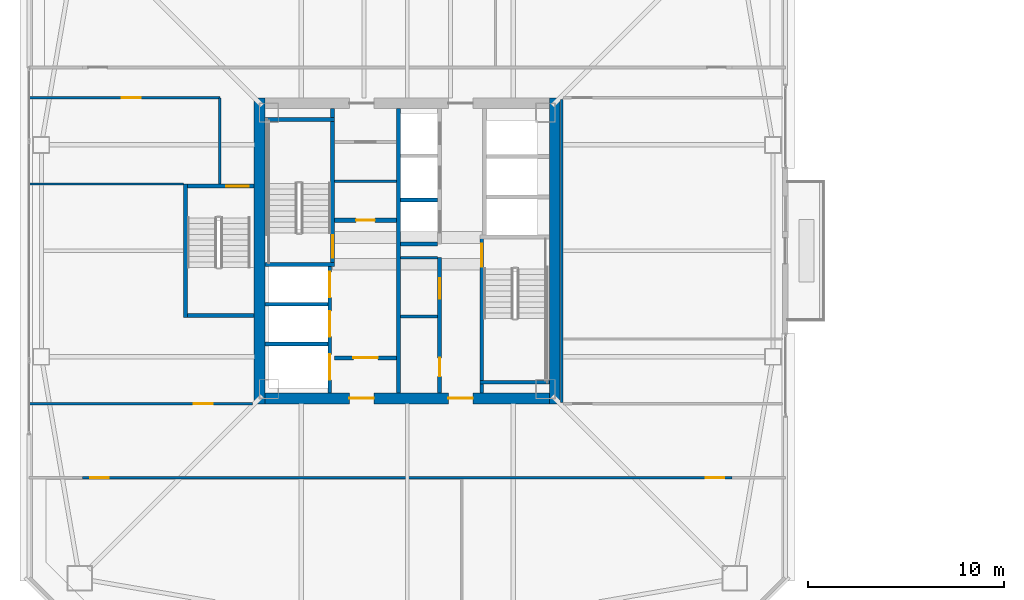
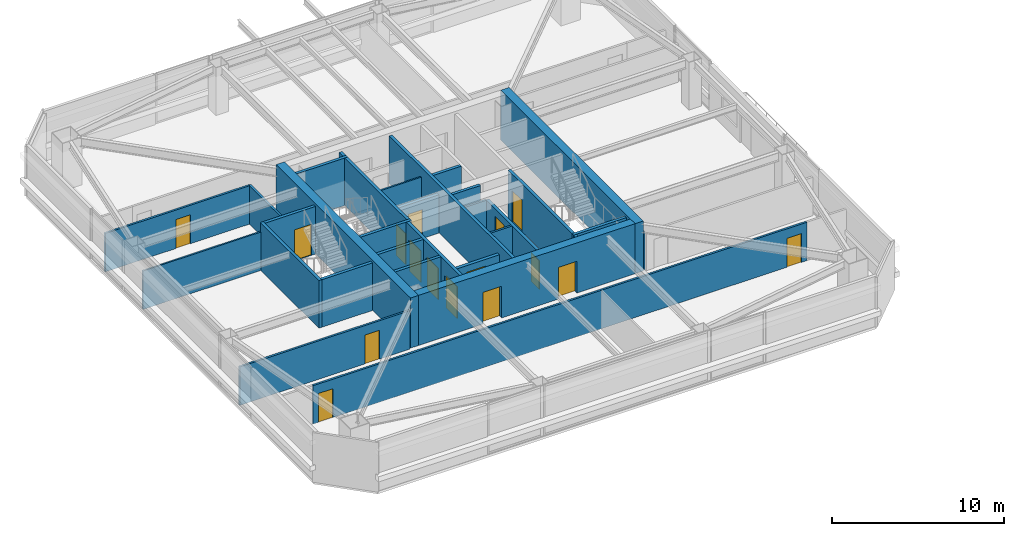
# One storey, part 30 of 40: 29 walls, 16 doors, 16 openings.
"""IFC4 building model written with IfcOpenShell, lengths in metres."""

from ifc_helpers import new_model, si_unit, direction, frame, frame_2d, origin, place, context, subcontext, project, spatial, rectangle, extrude, material, layer, layer_set, type_object, element, fill, save


model = new_model("IFC4")

# Units and contexts
model_context = context("Model", 3, precision=1e-05, world=origin(), true_north=direction((0.0, 1.0)))
body_context = subcontext(model_context, "Body", "Model", "MODEL_VIEW")
ifc_project = project(units=[si_unit("LENGTHUNIT", "METRE"), si_unit("AREAUNIT", "SQUARE_METRE"), si_unit("VOLUMEUNIT", "CUBIC_METRE"), si_unit("PLANEANGLEUNIT", "RADIAN"), si_unit("MASSUNIT", "GRAM", prefix="KILO")], contexts=[model_context])

# Site, building, storey
site_placement = place(None, origin())
site = spatial("IfcSite", under=ifc_project, at=site_placement, CompositionType="ELEMENT")
building_placement = place(site_placement, origin())
building = spatial("IfcBuilding", under=site, at=building_placement, Name="Tashvorn Skyway Center", CompositionType="ELEMENT")
storey_placement = place(building_placement, frame((0.0, 0.0, 142.800048828125)))
storey = spatial("IfcBuildingStorey", under=building, at=storey_placement, Name="L38", CompositionType="ELEMENT", Elevation=142.800048828125)

# Walls
ifc_material_1 = material(Name="Concrete C60/75", Category="concrete")
ifc_layer_1 = layer(ifc_material_1, 0.550048828125)
ifc_layer_set_1 = layer_set([ifc_layer_1], Name="Concrete C60/75")
wall_type_1 = type_object("IfcWallType", Name="WALL-CORE-550", PredefinedType="SHEAR", material=ifc_layer_set_1)
for number, where, z_axis, x_axis, name in (
    (1, (34.47509765625, 24.199951171875, 0.0), (0.0, 0.0, 1.0), (0.0, 1.0, 0.0), "Tower 1 L38 West Core Shear Wall"),
    (2, (49.52490234375, 39.800048828125, 0.0), (0.0, 0.0, 1.0), (0.0, -1.0, 0.0), "Tower 1 L38 East Core Shear Wall"),
):
    element("IfcWall", number, at=place(storey_placement, frame(where, z_axis=z_axis, x_axis=x_axis)), inside=storey, type_object=wall_type_1, Name=name, PredefinedType="SHEAR", context=body_context, shape_type="SweptSolid", body=[
        extrude(rectangle(XDim=15.60009765625, YDim=0.550048828125, at=frame_2d((7.800048828125, 0.0))), origin(), (0.0, 0.0, 1.0), 3.550048828125),
    ])

# Wall, openings, doors
wall_1_placement = place(storey_placement, frame((49.25, 24.47509765625, 0.0), z_axis=(0.0, 0.0, 1.0), x_axis=(-1.0, 0.0, 0.0)))
wall_1 = element("IfcWall", 3, at=wall_1_placement, inside=storey, type_object=wall_type_1, Name="Tower 1 L38 South Core Shear Wall", PredefinedType="SHEAR", context=body_context, shape_type="SweptSolid", body=[
    extrude(rectangle(XDim=14.5, YDim=0.550048828125, at=frame_2d((7.25, 0.0))), origin(), (0.0, 0.0, 1.0), 3.550048828125),
])
opening_1_placement = place(wall_1_placement, frame((8.949951171875, 0.0, 0.0)))
opening_1 = element("IfcOpeningElement", 4, at=opening_1_placement, cuts=wall_1, Name="Opening D-FFL-1250", PredefinedType="OPENING", context=body_context, shape_type="SweptSolid", body=[
    extrude(rectangle(XDim=1.25, YDim=2.25, at=frame_2d((0.625, 1.125))), frame((0.0, 0.284912109375, 0.0), z_axis=(0.0, -1.0, 0.0), x_axis=(1.0, 0.0, 0.0)), (0.0, 0.0, 1.0), 0.570068359375),
])
opening_2_placement = place(wall_1_placement, frame((3.89990234375, 0.0, 0.0)))
opening_2 = element("IfcOpeningElement", 5, at=opening_2_placement, cuts=wall_1, Name="Opening D-FFL-1250", PredefinedType="OPENING", context=body_context, shape_type="SweptSolid", body=[
    extrude(rectangle(XDim=1.25, YDim=2.25, at=frame_2d((0.625, 1.125))), frame((0.0, 0.284912109375, 0.0), z_axis=(0.0, -1.0, 0.0), x_axis=(1.0, 0.0, 0.0)), (0.0, 0.0, 1.0), 0.570068359375),
])
ifc_material_2 = material(Name="Hollow galvanized steel fire door assembly", Category="steel")
door_type_1 = type_object("IfcDoorType", Name="DOOR-FFL-1250", OperationType="NOTDEFINED", PredefinedType="DOOR", material=ifc_material_2)
door_1_placement = place(opening_1_placement, origin())
door_1 = element("IfcDoor", 6, at=door_1_placement, inside=storey, type_object=door_type_1, Name="Tower 1 L38 Core South Firefighting Exit Door", OperationType="SINGLE_SWING_LEFT", OverallHeight=2.25, OverallWidth=1.25, PredefinedType="DOOR", context=body_context, shape_type="SweptSolid", body=[
    extrude(rectangle(XDim=1.25, YDim=2.25, at=frame_2d((0.625, 1.125))), frame((0.0, 0.02490234375, 0.0), z_axis=(0.0, -1.0, 0.0), x_axis=(1.0, 0.0, 0.0)), (0.0, 0.0, 1.0), 0.050048828125),
])
fill(opening_1, door_1)
door_2_placement = place(opening_2_placement, origin())
door_2 = element("IfcDoor", 7, at=door_2_placement, inside=storey, type_object=door_type_1, Name="Tower 1 L38 Core South Lift Lobby Door", OperationType="SINGLE_SWING_RIGHT", OverallHeight=2.25, OverallWidth=1.25, PredefinedType="DOOR", context=body_context, shape_type="SweptSolid", body=[
    extrude(rectangle(XDim=1.25, YDim=2.25, at=frame_2d((0.625, 1.125))), frame((0.0, 0.02490234375, 0.0), z_axis=(0.0, -1.0, 0.0), x_axis=(1.0, 0.0, 0.0)), (0.0, 0.0, 1.0), 0.050048828125),
])
fill(opening_2, door_2)

# Wall, opening, door
ifc_material_3 = material(Name="Concrete C40/50", Category="concrete")
ifc_layer_2 = layer(ifc_material_3, 0.219970703125)
ifc_layer_set_2 = layer_set([ifc_layer_2], Name="Concrete C40/50")
wall_type_2 = type_object("IfcWallType", Name="WALL-FFL-220", PredefinedType="SOLIDWALL", material=ifc_layer_set_2)
wall_2_placement = place(storey_placement, frame((38.300048828125, 33.56005859375, 0.0), z_axis=(0.0, 0.0, 1.0), x_axis=(1.0, 0.0, 0.0)))
wall_2 = element("IfcWall", 8, at=wall_2_placement, inside=storey, type_object=wall_type_2, Name="Tower 1 L38 Firefighting Lobby North Wall", PredefinedType="SOLIDWALL", context=body_context, shape_type="SweptSolid", body=[
    extrude(rectangle(XDim=3.14990234375, YDim=0.219970703125, at=frame_2d((1.574951171875, 0.0))), origin(), (0.0, 0.0, 1.0), 2.722900390625),
])
opening_3_placement = place(wall_2_placement, frame((1.10009765625, 0.0, 0.0)))
opening_3 = element("IfcOpeningElement", 9, at=opening_3_placement, cuts=wall_2, Name="Opening D-RT-950", PredefinedType="OPENING", context=body_context, shape_type="SweptSolid", body=[
    extrude(rectangle(XDim=0.949951171875, YDim=2.050048828125, at=frame_2d((0.47509765625, 1.02490234375))), frame((0.0, 0.119873046875, 0.0), z_axis=(0.0, -1.0, 0.0), x_axis=(1.0, 0.0, 0.0)), (0.0, 0.0, 1.0), 0.239990234375),
])
door_type_2 = type_object("IfcDoorType", Name="DOOR-RATED-950", OperationType="NOTDEFINED", PredefinedType="DOOR", material=ifc_material_2)
door_3_placement = place(opening_3_placement, origin())
door_3 = element("IfcDoor", 10, at=door_3_placement, inside=storey, type_object=door_type_2, Name="Tower 1 L38 Core Linen Store Door", OperationType="SINGLE_SWING_LEFT", OverallHeight=2.050048828125, OverallWidth=0.949951171875, PredefinedType="DOOR", context=body_context, shape_type="SweptSolid", body=[
    extrude(rectangle(XDim=0.949951171875, YDim=2.050048828125, at=frame_2d((0.47509765625, 1.02490234375))), frame((0.0, 0.02490234375, 0.0), z_axis=(0.0, -1.0, 0.0), x_axis=(1.0, 0.0, 0.0)), (0.0, 0.0, 1.0), 0.050048828125),
])
fill(opening_3, door_3)

wall_3_placement = place(storey_placement, frame((38.300048828125, 26.5400390625, 0.0), z_axis=(0.0, 0.0, 1.0), x_axis=(1.0, 0.0, 0.0)))
wall_3 = element("IfcWall", 11, at=wall_3_placement, inside=storey, type_object=wall_type_2, Name="Tower 1 L38 Firefighting Lobby South Wall", PredefinedType="SOLIDWALL", context=body_context, shape_type="SweptSolid", body=[
    extrude(rectangle(XDim=3.14990234375, YDim=0.219970703125, at=frame_2d((1.574951171875, 0.0))), origin(), (0.0, 0.0, 1.0), 2.722900390625),
])
opening_4_placement = place(wall_3_placement, frame((0.949951171875, 0.0, 0.0)))
opening_4 = element("IfcOpeningElement", 12, at=opening_4_placement, cuts=wall_3, Name="Opening D-FFL-1250", PredefinedType="OPENING", context=body_context, shape_type="SweptSolid", body=[
    extrude(rectangle(XDim=1.25, YDim=2.25, at=frame_2d((0.625, 1.125))), frame((0.0, 0.119873046875, 0.0), z_axis=(0.0, -1.0, 0.0), x_axis=(1.0, 0.0, 0.0)), (0.0, 0.0, 1.0), 0.239990234375),
])
door_4_placement = place(opening_4_placement, origin())
door_4 = element("IfcDoor", 13, at=door_4_placement, inside=storey, type_object=door_type_1, Name="Tower 1 L38 Firefighting Lobby Egress Door", OperationType="SINGLE_SWING_LEFT", OverallHeight=2.25, OverallWidth=1.25, PredefinedType="DOOR", context=body_context, shape_type="SweptSolid", body=[
    extrude(rectangle(XDim=1.25, YDim=2.25, at=frame_2d((0.625, 1.125))), frame((0.0, 0.02490234375, 0.0), z_axis=(0.0, -1.0, 0.0), x_axis=(1.0, 0.0, 0.0)), (0.0, 0.0, 1.0), 0.050048828125),
])
fill(opening_4, door_4)

# Walls
ifc_material_4 = material(Name="Gypsum board on cold-formed steel stud framing", Category="steel")
ifc_layer_3 = layer(ifc_material_4, 0.110107421875)
ifc_layer_set_3 = layer_set([ifc_layer_3], Name="Gypsum board on cold-formed steel stud framing")
wall_type_3 = type_object("IfcWallType", Name="WALL-PART-110", PredefinedType="PARTITIONING", material=ifc_layer_set_3)
wall_4_placement = place(storey_placement, frame((30.60009765625, 35.39990234375, 0.0), z_axis=(0.0, 0.0, 1.0), x_axis=(-1.0, 0.0, 0.0)))
element("IfcWall", 14, at=wall_4_placement, inside=storey, type_object=wall_type_3, Name="Tower 1 L38 West Suite Partition 1", PredefinedType="PARTITIONING", context=body_context, shape_type="SweptSolid", body=[
    extrude(rectangle(XDim=7.880126953125, YDim=0.110107421875, at=frame_2d((3.93994140625, 0.0))), origin(), (0.0, 0.0, 1.0), 2.722900390625),
])
ifc_layer_4 = layer(ifc_material_4, 0.135009765625)
ifc_layer_set_4 = layer_set([ifc_layer_4], Name="Gypsum board on cold-formed steel stud framing")
wall_type_4 = type_object("IfcWallType", Name="WALL-PART-135", PredefinedType="PARTITIONING", material=ifc_layer_set_4)
wall_5_placement = place(storey_placement, frame((32.449951171875, 35.39990234375, 0.0), z_axis=(0.0, 0.0, 1.0), x_axis=(0.0, 1.0, 0.0)))
element("IfcWall", 15, at=wall_5_placement, inside=storey, type_object=wall_type_4, Name="Tower 1 L38 Stair 3 Access Corridor Wall", PredefinedType="PARTITIONING", context=body_context, shape_type="SweptSolid", body=[
    extrude(rectangle(XDim=4.400146484375, YDim=0.135009765625, at=frame_2d((2.2001953125, 0.0))), origin(), (0.0, 0.0, 1.0), 2.722900390625),
])

# Wall, openings, doors
wall_6_placement = place(storey_placement, frame((58.550048828125, 20.429931640625, 0.0), z_axis=(0.0, 0.0, 1.0), x_axis=(-1.0, 0.0, 0.0)))
wall_6 = element("IfcWall", 16, at=wall_6_placement, inside=storey, type_object=wall_type_4, Name="Tower 1 L38 South Suite Wall", PredefinedType="PARTITIONING", context=body_context, shape_type="SweptSolid", body=[
    extrude(rectangle(XDim=33.10009765625, YDim=0.135009765625, at=frame_2d((16.550048828125, 0.0))), origin(), (0.0, 0.0, 1.0), 2.722900390625),
])
opening_5_placement = place(wall_6_placement, frame((31.77001953125, 0.0, 0.0)))
opening_5 = element("IfcOpeningElement", 17, at=opening_5_placement, cuts=wall_6, Name="Opening D-INT-950", PredefinedType="OPENING", context=body_context, shape_type="SweptSolid", body=[
    extrude(rectangle(XDim=0.949951171875, YDim=2.050048828125, at=frame_2d((0.47509765625, 1.02490234375))), frame((0.0, 0.077392578125, 0.0), z_axis=(0.0, -1.0, 0.0), x_axis=(1.0, 0.0, 0.0)), (0.0, 0.0, 1.0), 0.155029296875),
])
opening_6_placement = place(wall_6_placement, frame((0.3798828125, 0.0, 0.0)))
opening_6 = element("IfcOpeningElement", 18, at=opening_6_placement, cuts=wall_6, Name="Opening D-INT-950", PredefinedType="OPENING", context=body_context, shape_type="SweptSolid", body=[
    extrude(rectangle(XDim=0.949951171875, YDim=2.050048828125, at=frame_2d((0.47509765625, 1.02490234375))), frame((0.0, 0.077392578125, 0.0), z_axis=(0.0, -1.0, 0.0), x_axis=(1.0, 0.0, 0.0)), (0.0, 0.0, 1.0), 0.155029296875),
])
ifc_material_5 = material(Name="Solid-core architectural oak veneer door")
door_type_3 = type_object("IfcDoorType", Name="DOOR-INT-950", OperationType="NOTDEFINED", PredefinedType="DOOR", material=ifc_material_5)
door_5_placement = place(opening_5_placement, origin())
door_5 = element("IfcDoor", 19, at=door_5_placement, inside=storey, type_object=door_type_3, Name="Tower 1 L38 Wellness Clinic Door", OperationType="SINGLE_SWING_LEFT", OverallHeight=2.050048828125, OverallWidth=0.949951171875, PredefinedType="DOOR", context=body_context, shape_type="SweptSolid", body=[
    extrude(rectangle(XDim=0.949951171875, YDim=2.050048828125, at=frame_2d((0.47509765625, 1.02490234375))), frame((0.0, 0.02490234375, 0.0), z_axis=(0.0, -1.0, 0.0), x_axis=(1.0, 0.0, 0.0)), (0.0, 0.0, 1.0), 0.050048828125),
])
fill(opening_5, door_5)
door_6_placement = place(opening_6_placement, origin())
door_6 = element("IfcDoor", 20, at=door_6_placement, inside=storey, type_object=door_type_3, Name="Tower 1 L38 Corporate Office Door", OperationType="SINGLE_SWING_RIGHT", OverallHeight=2.050048828125, OverallWidth=0.949951171875, PredefinedType="DOOR", context=body_context, shape_type="SweptSolid", body=[
    extrude(rectangle(XDim=0.949951171875, YDim=2.050048828125, at=frame_2d((0.47509765625, 1.02490234375))), frame((0.0, 0.02490234375, 0.0), z_axis=(0.0, -1.0, 0.0), x_axis=(1.0, 0.0, 0.0)), (0.0, 0.0, 1.0), 0.050048828125),
])
fill(opening_6, door_6)

# Wall
wall_7_placement = place(storey_placement, frame((49.8798828125, 39.719970703125, 0.0), z_axis=(0.0, 0.0, 1.0), x_axis=(0.0, -1.0, 0.0)))
element("IfcWall", 21, at=wall_7_placement, inside=storey, type_object=wall_type_4, Name="Tower 1 L38 East Inner Suite Wall", PredefinedType="PARTITIONING", context=body_context, shape_type="SweptSolid", body=[
    extrude(rectangle(XDim=15.43994140625, YDim=0.135009765625, at=frame_2d((7.719970703125, 0.0))), origin(), (0.0, 0.0, 1.0), 2.722900390625),
])

# Wall, opening, door
wall_8_placement = place(storey_placement, frame((32.449951171875, 39.800048828125, 0.0), z_axis=(0.0, 0.0, 1.0), x_axis=(-1.0, 0.0, 0.0)))
wall_8 = element("IfcWall", 22, at=wall_8_placement, inside=storey, type_object=wall_type_4, Name="Tower 1 L38 West Suite North Wall", PredefinedType="PARTITIONING", context=body_context, shape_type="SweptSolid", body=[
    extrude(rectangle(XDim=9.72998046875, YDim=0.135009765625, at=frame_2d((4.864990234375, 0.0))), origin(), (0.0, 0.0, 1.0), 2.722900390625),
])
opening_7_placement = place(wall_8_placement, frame((4.0400390625, 0.0, 0.0)))
opening_7 = element("IfcOpeningElement", 23, at=opening_7_placement, cuts=wall_8, Name="Opening D-INT-950", PredefinedType="OPENING", context=body_context, shape_type="SweptSolid", body=[
    extrude(rectangle(XDim=0.949951171875, YDim=2.050048828125, at=frame_2d((0.47509765625, 1.02490234375))), frame((0.0, 0.077392578125, 0.0), z_axis=(0.0, -1.0, 0.0), x_axis=(1.0, 0.0, 0.0)), (0.0, 0.0, 1.0), 0.155029296875),
])
door_7_placement = place(opening_7_placement, origin())
door_7 = element("IfcDoor", 24, at=door_7_placement, inside=storey, type_object=door_type_3, Name="Tower 1 L38 Corporate Office Door", OperationType="SINGLE_SWING_LEFT", OverallHeight=2.050048828125, OverallWidth=0.949951171875, PredefinedType="DOOR", context=body_context, shape_type="SweptSolid", body=[
    extrude(rectangle(XDim=0.949951171875, YDim=2.050048828125, at=frame_2d((0.47509765625, 1.02490234375))), frame((0.0, 0.02490234375, 0.0), z_axis=(0.0, -1.0, 0.0), x_axis=(1.0, 0.0, 0.0)), (0.0, 0.0, 1.0), 0.050048828125),
])
fill(opening_7, door_7)

wall_9_placement = place(storey_placement, frame((22.719970703125, 24.199951171875, 0.0), z_axis=(0.0, 0.0, 1.0), x_axis=(1.0, 0.0, 0.0)))
wall_9 = element("IfcWall", 25, at=wall_9_placement, inside=storey, type_object=wall_type_4, Name="Tower 1 L38 West Suite South Wall", PredefinedType="PARTITIONING", context=body_context, shape_type="SweptSolid", body=[
    extrude(rectangle(XDim=11.400146484375, YDim=0.135009765625, at=frame_2d((5.7001953125, 0.0))), origin(), (0.0, 0.0, 1.0), 2.722900390625),
])
opening_8_placement = place(wall_9_placement, frame((8.405029296875, 0.0, 0.0)))
opening_8 = element("IfcOpeningElement", 26, at=opening_8_placement, cuts=wall_9, Name="Opening D-INT-950", PredefinedType="OPENING", context=body_context, shape_type="SweptSolid", body=[
    extrude(rectangle(XDim=0.949951171875, YDim=2.050048828125, at=frame_2d((0.47509765625, 1.02490234375))), frame((0.0, 0.077392578125, 0.0), z_axis=(0.0, -1.0, 0.0), x_axis=(1.0, 0.0, 0.0)), (0.0, 0.0, 1.0), 0.155029296875),
])
door_8_placement = place(opening_8_placement, origin())
door_8 = element("IfcDoor", 27, at=door_8_placement, inside=storey, type_object=door_type_3, Name="Tower 1 L38 Public Restroom Door", OperationType="SINGLE_SWING_RIGHT", OverallHeight=2.050048828125, OverallWidth=0.949951171875, PredefinedType="DOOR", context=body_context, shape_type="SweptSolid", body=[
    extrude(rectangle(XDim=0.949951171875, YDim=2.050048828125, at=frame_2d((0.47509765625, 1.02490234375))), frame((0.0, 0.02490234375, 0.0), z_axis=(0.0, -1.0, 0.0), x_axis=(1.0, 0.0, 0.0)), (0.0, 0.0, 1.0), 0.050048828125),
])
fill(opening_8, door_8)

# Walls
ifc_layer_5 = layer(ifc_material_4, 0.110107421875)
ifc_layer_set_5 = layer_set([ifc_layer_5], Name="Gypsum board on cold-formed steel stud framing")
wall_type_5 = type_object("IfcWallType", Name="WALL-RATED-110", PredefinedType="PARTITIONING", material=ifc_layer_set_5)
wall_10_placement = place(storey_placement, frame((38.300048828125, 35.550048828125, 0.0), z_axis=(0.0, 0.0, 1.0), x_axis=(1.0, 0.0, 0.0)))
element("IfcWall", 28, at=wall_10_placement, inside=storey, type_object=wall_type_5, Name="Tower 1 L38 Core Transverse Wall", PredefinedType="PARTITIONING", context=body_context, shape_type="SweptSolid", body=[
    extrude(rectangle(XDim=3.14990234375, YDim=0.110107421875, at=frame_2d((1.574951171875, 0.0))), origin(), (0.0, 0.0, 1.0), 2.722900390625),
])
ifc_layer_6 = layer(ifc_material_4, 0.135009765625)
ifc_layer_set_6 = layer_set([ifc_layer_6], Name="Gypsum board on cold-formed steel stud framing")
wall_type_6 = type_object("IfcWallType", Name="WALL-RATED-135", PredefinedType="PARTITIONING", material=ifc_layer_set_6)
for number, where, z_axis, x_axis, name in (
    (29, (41.669921875, 31.64990234375, 0.0), (0.0, 0.0, 1.0), (1.0, 0.0, 0.0), "Tower 1 L38 Core Room Partition"),
    (30, (41.669921875, 28.64990234375, 0.0), (0.0, 0.0, 1.0), (1.0, 0.0, 0.0), "Tower 1 L38 Freed Core Partition"),
):
    element("IfcWall", number, at=place(storey_placement, frame(where, z_axis=z_axis, x_axis=x_axis)), inside=storey, type_object=wall_type_6, Name=name, PredefinedType="PARTITIONING", context=body_context, shape_type="SweptSolid", body=[
        extrude(rectangle(XDim=1.880126953125, YDim=0.135009765625, at=frame_2d((0.93994140625, 0.0))), origin(), (0.0, 0.0, 1.0), 2.722900390625),
    ])
ifc_layer_7 = layer(ifc_material_3, 0.199951171875)
ifc_layer_set_7 = layer_set([ifc_layer_7], Name="Concrete C40/50")
wall_type_7 = type_object("IfcWallType", Name="WALL-SHAFT-200", PredefinedType="SOLIDWALL", material=ifc_layer_set_7)
for number, where, z_axis, x_axis, name in (
    (31, (34.75, 27.25, 0.0), (0.0, 0.0, 1.0), (1.0, 0.0, 0.0), "Tower 1 L38 FSAE Shaft Divider"),
    (32, (34.75, 29.280029296875, 0.0), (0.0, 0.0, 1.0), (1.0, 0.0, 0.0), "Tower 1 L38 FSAE Shaft Divider"),
):
    element("IfcWall", number, at=place(storey_placement, frame(where, z_axis=z_axis, x_axis=x_axis)), inside=storey, type_object=wall_type_7, Name=name, PredefinedType="SOLIDWALL", context=body_context, shape_type="SweptSolid", body=[
        extrude(rectangle(XDim=3.199951171875, YDim=0.199951171875, at=frame_2d((1.60009765625, 0.0))), origin(), (0.0, 0.0, 1.0), 3.369873046875),
    ])

# Wall, openings, doors
wall_11_placement = place(storey_placement, frame((43.64990234375, 24.75, 0.0), z_axis=(0.0, 0.0, 1.0), x_axis=(0.0, 1.0, 0.0)))
wall_11 = element("IfcWall", 33, at=wall_11_placement, inside=storey, type_object=wall_type_7, Name="Tower 1 L38 Low-Rise Core Wall", PredefinedType="SOLIDWALL", context=body_context, shape_type="SweptSolid", body=[
    extrude(rectangle(XDim=6.89990234375, YDim=0.199951171875, at=frame_2d((3.449951171875, 0.0))), origin(), (0.0, 0.0, 1.0), 2.722900390625),
])
opening_9_placement = place(wall_11_placement, frame((0.85009765625, 0.0, 0.0)))
opening_9 = element("IfcOpeningElement", 34, at=opening_9_placement, cuts=wall_11, Name="Opening D-RT-950", PredefinedType="OPENING", context=body_context, shape_type="SweptSolid", body=[
    extrude(rectangle(XDim=0.949951171875, YDim=2.050048828125, at=frame_2d((0.47509765625, 1.02490234375))), frame((0.0, 0.10986328125, 0.0), z_axis=(0.0, -1.0, 0.0), x_axis=(1.0, 0.0, 0.0)), (0.0, 0.0, 1.0), 0.219970703125),
])
opening_10_placement = place(wall_11_placement, frame((4.800048828125, 0.0, 0.0)))
opening_10 = element("IfcOpeningElement", 35, at=opening_10_placement, cuts=wall_11, Name="Opening D-RT-1050", PredefinedType="OPENING", context=body_context, shape_type="SweptSolid", body=[
    extrude(rectangle(XDim=1.050048828125, YDim=2.199951171875, at=frame_2d((0.52490234375, 1.10009765625))), frame((0.0, 0.10986328125, 0.0), z_axis=(0.0, -1.0, 0.0), x_axis=(1.0, 0.0, 0.0)), (0.0, 0.0, 1.0), 0.219970703125),
])
door_type_4 = type_object("IfcDoorType", Name="DOOR-RATED-1050", OperationType="NOTDEFINED", PredefinedType="DOOR", material=ifc_material_2)
door_9_placement = place(opening_10_placement, origin())
door_9 = element("IfcDoor", 36, at=door_9_placement, inside=storey, type_object=door_type_4, Name="Tower 1 L38 Freed Core Room Door", OperationType="SINGLE_SWING_RIGHT", OverallHeight=2.199951171875, OverallWidth=1.050048828125, PredefinedType="DOOR", context=body_context, shape_type="SweptSolid", body=[
    extrude(rectangle(XDim=1.050048828125, YDim=2.199951171875, at=frame_2d((0.52490234375, 1.10009765625))), frame((0.0, 0.02490234375, 0.0), z_axis=(0.0, -1.0, 0.0), x_axis=(1.0, 0.0, 0.0)), (0.0, 0.0, 1.0), 0.050048828125),
])
fill(opening_10, door_9)
door_10_placement = place(opening_9_placement, origin())
door_10 = element("IfcDoor", 37, at=door_10_placement, inside=storey, type_object=door_type_2, Name="Tower 1 L38 Core Print Room Door", OperationType="SINGLE_SWING_LEFT", OverallHeight=2.050048828125, OverallWidth=0.949951171875, PredefinedType="DOOR", context=body_context, shape_type="SweptSolid", body=[
    extrude(rectangle(XDim=0.949951171875, YDim=2.050048828125, at=frame_2d((0.47509765625, 1.02490234375))), frame((0.0, 0.02490234375, 0.0), z_axis=(0.0, -1.0, 0.0), x_axis=(1.0, 0.0, 0.0)), (0.0, 0.0, 1.0), 0.050048828125),
])
fill(opening_9, door_10)

# Walls
for number, where, z_axis, x_axis, name in (
    (38, (41.669921875, 32.35009765625, 0.0), (0.0, 0.0, 1.0), (1.0, 0.0, 0.0), "Tower 1 L38 Mid-Rise Shaft Divider"),
    (39, (41.669921875, 34.60009765625, 0.0), (0.0, 0.0, 1.0), (1.0, 0.0, 0.0), "Tower 1 L38 Mid-Rise Shaft Divider"),
):
    element("IfcWall", number, at=place(storey_placement, frame(where, z_axis=z_axis, x_axis=x_axis)), inside=storey, type_object=wall_type_7, Name=name, PredefinedType="SOLIDWALL", context=body_context, shape_type="SweptSolid", body=[
        extrude(rectangle(XDim=1.880126953125, YDim=0.199951171875, at=frame_2d((0.93994140625, 0.0))), origin(), (0.0, 0.0, 1.0), 3.369873046875),
    ])

# Wall, opening, door
ifc_layer_8 = layer(ifc_material_3, 0.199951171875)
ifc_layer_set_8 = layer_set([ifc_layer_8], Name="Concrete C40/50")
wall_type_8 = type_object("IfcWallType", Name="WALL-STSHF-200", PredefinedType="SHEAR", material=ifc_layer_set_8)
wall_12_placement = place(storey_placement, frame((38.199951171875, 31.199951171875, 0.0), z_axis=(0.0, 0.0, 1.0), x_axis=(0.0, 1.0, 0.0)))
wall_12 = element("IfcWall", 40, at=wall_12_placement, inside=storey, type_object=wall_type_8, Name="Tower 1 L38 Stair 1 Enclosure Wall", PredefinedType="SHEAR", context=body_context, shape_type="SweptSolid", body=[
    extrude(rectangle(XDim=8.050048828125, YDim=0.199951171875, at=frame_2d((4.02490234375, 0.0))), origin(), (0.0, 0.0, 1.0), 3.369873046875),
])
opening_11_placement = place(wall_12_placement, frame((0.449951171875, 0.0, 0.0)))
opening_11 = element("IfcOpeningElement", 41, at=opening_11_placement, cuts=wall_12, Name="Opening D-ST-1150", PredefinedType="OPENING", context=body_context, shape_type="SweptSolid", body=[
    extrude(rectangle(XDim=1.14990234375, YDim=2.199951171875, at=frame_2d((0.574951171875, 1.10009765625))), frame((0.0, 0.10986328125, 0.0), z_axis=(0.0, -1.0, 0.0), x_axis=(1.0, 0.0, 0.0)), (0.0, 0.0, 1.0), 0.219970703125),
])
door_type_5 = type_object("IfcDoorType", Name="DOOR-STAIR-1150", OperationType="NOTDEFINED", PredefinedType="DOOR", material=ifc_material_2)
door_11_placement = place(opening_11_placement, origin())
door_11 = element("IfcDoor", 42, at=door_11_placement, inside=storey, type_object=door_type_5, Name="Tower 1 L38 Exit Stair 1 Door", OperationType="SINGLE_SWING_RIGHT", OverallHeight=2.199951171875, OverallWidth=1.14990234375, PredefinedType="DOOR", context=body_context, shape_type="SweptSolid", body=[
    extrude(rectangle(XDim=1.14990234375, YDim=2.199951171875, at=frame_2d((0.574951171875, 1.10009765625))), frame((0.0, 0.02490234375, 0.0), z_axis=(0.0, -1.0, 0.0), x_axis=(1.0, 0.0, 0.0)), (0.0, 0.0, 1.0), 0.050048828125),
])
fill(opening_11, door_11)

# Walls
for number, where, z_axis, x_axis, name in (
    (43, (34.75, 31.300048828125, 0.0), (0.0, 0.0, 1.0), (1.0, 0.0, 0.0), "Tower 1 L38 Stair 1 South Wall"),
    (44, (34.75, 38.699951171875, 0.0), (0.0, 0.0, 1.0), (1.0, 0.0, 0.0), "Tower 1 L38 Stair 1 North Wall"),
):
    element("IfcWall", number, at=place(storey_placement, frame(where, z_axis=z_axis, x_axis=x_axis)), inside=storey, type_object=wall_type_8, Name=name, PredefinedType="SHEAR", context=body_context, shape_type="SweptSolid", body=[
        extrude(rectangle(XDim=3.550048828125, YDim=0.199951171875, at=frame_2d((1.77490234375, 0.0))), origin(), (0.0, 0.0, 1.0), 3.369873046875),
    ])

# Wall, opening, door
wall_13_placement = place(storey_placement, frame((45.800048828125, 32.800048828125, 0.0), z_axis=(0.0, 0.0, 1.0), x_axis=(0.0, -1.0, 0.0)))
wall_13 = element("IfcWall", 45, at=wall_13_placement, inside=storey, type_object=wall_type_8, Name="Tower 1 L38 Stair 2 Enclosure Wall", PredefinedType="SHEAR", context=body_context, shape_type="SweptSolid", body=[
    extrude(rectangle(XDim=8.050048828125, YDim=0.199951171875, at=frame_2d((4.02490234375, 0.0))), origin(), (0.0, 0.0, 1.0), 3.369873046875),
])
opening_12_placement = place(wall_13_placement, frame((0.449951171875, 0.0, 0.0)))
opening_12 = element("IfcOpeningElement", 46, at=opening_12_placement, cuts=wall_13, Name="Opening D-ST-1150", PredefinedType="OPENING", context=body_context, shape_type="SweptSolid", body=[
    extrude(rectangle(XDim=1.14990234375, YDim=2.199951171875, at=frame_2d((0.574951171875, 1.10009765625))), frame((0.0, 0.10986328125, 0.0), z_axis=(0.0, -1.0, 0.0), x_axis=(1.0, 0.0, 0.0)), (0.0, 0.0, 1.0), 0.219970703125),
])
door_12_placement = place(opening_12_placement, origin())
door_12 = element("IfcDoor", 47, at=door_12_placement, inside=storey, type_object=door_type_5, Name="Tower 1 L38 Exit Stair 2 Door", OperationType="SINGLE_SWING_RIGHT", OverallHeight=2.199951171875, OverallWidth=1.14990234375, PredefinedType="DOOR", context=body_context, shape_type="SweptSolid", body=[
    extrude(rectangle(XDim=1.14990234375, YDim=2.199951171875, at=frame_2d((0.574951171875, 1.10009765625))), frame((0.0, 0.02490234375, 0.0), z_axis=(0.0, -1.0, 0.0), x_axis=(1.0, 0.0, 0.0)), (0.0, 0.0, 1.0), 0.050048828125),
])
fill(opening_12, door_12)

# Walls
wall_14_placement = place(storey_placement, frame((45.699951171875, 25.300048828125, 0.0), z_axis=(0.0, 0.0, 1.0), x_axis=(1.0, 0.0, 0.0)))
element("IfcWall", 48, at=wall_14_placement, inside=storey, type_object=wall_type_8, Name="Tower 1 L38 Stair 2 South Wall", PredefinedType="SHEAR", context=body_context, shape_type="SweptSolid", body=[
    extrude(rectangle(XDim=3.550048828125, YDim=0.199951171875, at=frame_2d((1.77490234375, 0.0))), origin(), (0.0, 0.0, 1.0), 3.369873046875),
])
wall_15_placement = place(storey_placement, frame((41.56005859375, 24.75, 0.0), z_axis=(0.0, 0.0, 1.0), x_axis=(0.0, 1.0, 0.0)))
element("IfcWall", 49, at=wall_15_placement, inside=storey, type_object=wall_type_8, Name="Tower 1 L38 Firefighting Lobby East Smoke Barrier", PredefinedType="SHEAR", context=body_context, shape_type="SweptSolid", body=[
    extrude(rectangle(XDim=14.5, YDim=0.199951171875, at=frame_2d((7.25, 0.0))), origin(), (0.0, 0.0, 1.0), 3.369873046875),
])

# Wall, openings, doors
wall_16_placement = place(storey_placement, frame((38.050048828125, 24.75, 0.0), z_axis=(0.0, 0.0, 1.0), x_axis=(0.0, 1.0, 0.0)))
wall_16 = element("IfcWall", 50, at=wall_16_placement, inside=storey, type_object=wall_type_8, Name="Tower 1 L38 FSAE and Goods Shaft Front Wall", PredefinedType="SHEAR", context=body_context, shape_type="SweptSolid", body=[
    extrude(rectangle(XDim=6.449951171875, YDim=0.199951171875, at=frame_2d((3.22509765625, 0.0))), origin(), (0.0, 0.0, 1.0), 3.369873046875),
])
opening_13_placement = place(wall_16_placement, frame((4.875, 0.0, 0.0)))
opening_13 = element("IfcOpeningElement", 51, at=opening_13_placement, cuts=wall_16, Name="Opening LD-FF-T1-1-L38", PredefinedType="OPENING", context=body_context, shape_type="SweptSolid", body=[
    extrude(rectangle(XDim=1.300048828125, YDim=2.25, at=frame_2d((0.64990234375, 1.125))), frame((0.0, 0.10986328125, 0.0), z_axis=(0.0, -1.0, 0.0), x_axis=(1.0, 0.0, 0.0)), (0.0, 0.0, 1.0), 0.219970703125),
])
opening_14_placement = place(wall_16_placement, frame((2.875, 0.0, 0.0)))
opening_14 = element("IfcOpeningElement", 52, at=opening_14_placement, cuts=wall_16, Name="Opening LD-FF-T1-2-L38", PredefinedType="OPENING", context=body_context, shape_type="SweptSolid", body=[
    extrude(rectangle(XDim=1.300048828125, YDim=2.25, at=frame_2d((0.64990234375, 1.125))), frame((0.0, 0.10986328125, 0.0), z_axis=(0.0, -1.0, 0.0), x_axis=(1.0, 0.0, 0.0)), (0.0, 0.0, 1.0), 0.219970703125),
])
opening_15_placement = place(wall_16_placement, frame((0.675048828125, 0.0, 0.0)))
opening_15 = element("IfcOpeningElement", 53, at=opening_15_placement, cuts=wall_16, Name="Opening LD-GD-T1-1-L38", PredefinedType="OPENING", context=body_context, shape_type="SweptSolid", body=[
    extrude(rectangle(XDim=1.300048828125, YDim=2.25, at=frame_2d((0.64990234375, 1.125))), frame((0.0, 0.10986328125, 0.0), z_axis=(0.0, -1.0, 0.0), x_axis=(1.0, 0.0, 0.0)), (0.0, 0.0, 1.0), 0.219970703125),
])
ifc_material_6 = material(Name="Stainless steel heavy-duty landing door", Category="steel")
door_type_6 = type_object("IfcDoorType", Name="DOOR-LIFT-1300", OperationType="SLIDING_TO_LEFT", PredefinedType="DOOR", material=ifc_material_6)
door_13_placement = place(opening_13_placement, origin())
door_13 = element("IfcDoor", 54, at=door_13_placement, inside=storey, type_object=door_type_6, Name="Lift FF-T1-1 L38 Landing Door", OperationType="SLIDING_TO_LEFT", OverallHeight=2.25, OverallWidth=1.300048828125, PredefinedType="DOOR", context=body_context, shape_type="SweptSolid", body=[
    extrude(rectangle(XDim=1.300048828125, YDim=2.25, at=frame_2d((0.64990234375, 1.125))), frame((0.0, 0.02490234375, 0.0), z_axis=(0.0, -1.0, 0.0), x_axis=(1.0, 0.0, 0.0)), (0.0, 0.0, 1.0), 0.050048828125),
])
fill(opening_13, door_13)
door_14_placement = place(opening_14_placement, origin())
door_14 = element("IfcDoor", 55, at=door_14_placement, inside=storey, type_object=door_type_6, Name="Lift FF-T1-2 L38 Landing Door", OperationType="SLIDING_TO_LEFT", OverallHeight=2.25, OverallWidth=1.300048828125, PredefinedType="DOOR", context=body_context, shape_type="SweptSolid", body=[
    extrude(rectangle(XDim=1.300048828125, YDim=2.25, at=frame_2d((0.64990234375, 1.125))), frame((0.0, 0.02490234375, 0.0), z_axis=(0.0, -1.0, 0.0), x_axis=(1.0, 0.0, 0.0)), (0.0, 0.0, 1.0), 0.050048828125),
])
fill(opening_14, door_14)
door_15_placement = place(opening_15_placement, origin())
door_15 = element("IfcDoor", 56, at=door_15_placement, inside=storey, type_object=door_type_6, Name="Lift GD-T1-1 L38 Landing Door", OperationType="SLIDING_TO_LEFT", OverallHeight=2.25, OverallWidth=1.300048828125, PredefinedType="DOOR", context=body_context, shape_type="SweptSolid", body=[
    extrude(rectangle(XDim=1.300048828125, YDim=2.25, at=frame_2d((0.64990234375, 1.125))), frame((0.0, 0.02490234375, 0.0), z_axis=(0.0, -1.0, 0.0), x_axis=(1.0, 0.0, 0.0)), (0.0, 0.0, 1.0), 0.050048828125),
])
fill(opening_15, door_15)

# Wall
wall_17_placement = place(storey_placement, frame((30.699951171875, 28.60009765625, 0.0), z_axis=(0.0, 0.0, 1.0), x_axis=(0.0, 1.0, 0.0)))
element("IfcWall", 57, at=wall_17_placement, inside=storey, type_object=wall_type_8, Name="Tower 1 L38 Stair 3 Outer Wall", PredefinedType="SHEAR", context=body_context, shape_type="SweptSolid", body=[
    extrude(rectangle(XDim=6.7998046875, YDim=0.199951171875, at=frame_2d((3.39990234375, 0.0))), origin(), (0.0, 0.0, 1.0), 3.369873046875),
])

# Wall, opening, door
wall_18_placement = place(storey_placement, frame((34.199951171875, 35.300048828125, 0.0), z_axis=(0.0, 0.0, 1.0), x_axis=(-1.0, 0.0, 0.0)))
wall_18 = element("IfcWall", 58, at=wall_18_placement, inside=storey, type_object=wall_type_8, Name="Tower 1 L38 Stair 3 Enclosure Wall", PredefinedType="SHEAR", context=body_context, shape_type="SweptSolid", body=[
    extrude(rectangle(XDim=3.39990234375, YDim=0.199951171875, at=frame_2d((1.699951171875, 0.0))), origin(), (0.0, 0.0, 1.0), 3.369873046875),
])
opening_16_placement = place(wall_18_placement, frame((0.27490234375, 0.0, 0.0)))
opening_16 = element("IfcOpeningElement", 59, at=opening_16_placement, cuts=wall_18, Name="Opening D-ST-1150", PredefinedType="OPENING", context=body_context, shape_type="SweptSolid", body=[
    extrude(rectangle(XDim=1.14990234375, YDim=2.199951171875, at=frame_2d((0.574951171875, 1.10009765625))), frame((0.0, 0.10986328125, 0.0), z_axis=(0.0, -1.0, 0.0), x_axis=(1.0, 0.0, 0.0)), (0.0, 0.0, 1.0), 0.219970703125),
])
door_16_placement = place(opening_16_placement, origin())
door_16 = element("IfcDoor", 60, at=door_16_placement, inside=storey, type_object=door_type_5, Name="Tower 1 L38 Exit Stair 3 Door", OperationType="SINGLE_SWING_RIGHT", OverallHeight=2.199951171875, OverallWidth=1.14990234375, PredefinedType="DOOR", context=body_context, shape_type="SweptSolid", body=[
    extrude(rectangle(XDim=1.14990234375, YDim=2.199951171875, at=frame_2d((0.574951171875, 1.10009765625))), frame((0.0, 0.02490234375, 0.0), z_axis=(0.0, -1.0, 0.0), x_axis=(1.0, 0.0, 0.0)), (0.0, 0.0, 1.0), 0.050048828125),
])
fill(opening_16, door_16)

# Wall
wall_19_placement = place(storey_placement, frame((30.800048828125, 28.699951171875, 0.0), z_axis=(0.0, 0.0, 1.0), x_axis=(1.0, 0.0, 0.0)))
element("IfcWall", 61, at=wall_19_placement, inside=storey, type_object=wall_type_8, Name="Tower 1 L38 Stair 3 South Wall", PredefinedType="SHEAR", context=body_context, shape_type="SweptSolid", body=[
    extrude(rectangle(XDim=3.39990234375, YDim=0.199951171875, at=frame_2d((1.699951171875, 0.0))), origin(), (0.0, 0.0, 1.0), 3.369873046875),
])

save(model, "model.ifc")
